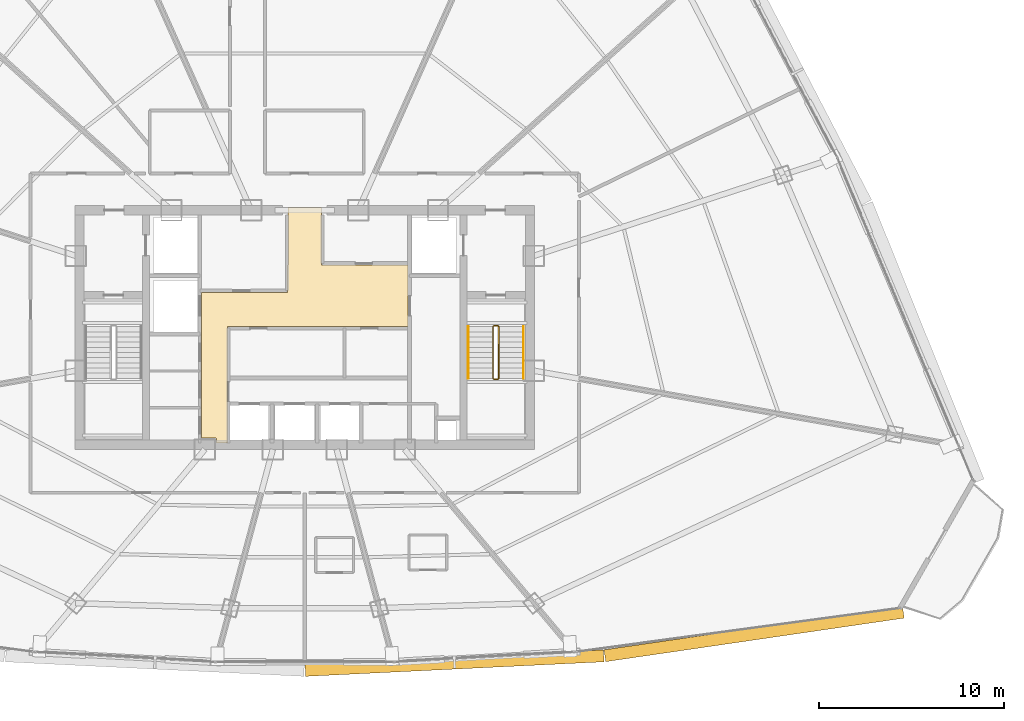
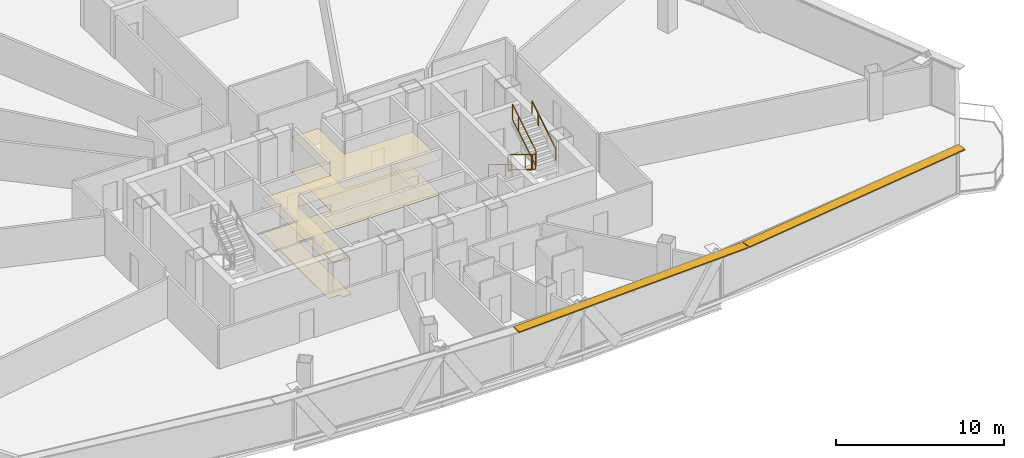
# One storey, part 33 of 35: 6 railings, 2 coverings, 2 shading devices.
"""IFC4 building model written with IfcOpenShell, lengths in metres."""

import ifcopenshell
import ifcopenshell.guid

model = None  # the IFC model being written
_history = None  # IfcOwnerHistory: only IFC2X3 demands one
_inside = {}  # id of a spatial element -> (the spatial element, [elements in it])
_under = {}  # id of a project, library or spatial element -> (it, [spatial elements below it])
_declared = {}  # id of a project -> (the project, [libraries it declares])
_typed = {}  # id of a type object -> (the type object, [elements of that type])
_made_of = {}  # id of a material, layer set ... -> (it, [elements and type objects made of it])


def new_model(schema):
    """Start an empty IFC model of exactly this schema.

    Asked for "IFC4X3", IfcOpenShell would pick the latest addendum, in which some entities
    have other attributes; the version numbers below select the first issue.
    IFC2X3 requires an IfcOwnerHistory on every rooted entity: one is made here for all.
    """
    global model, _history
    if schema == "IFC4X3":
        model = ifcopenshell.file(schema_version=(4, 3, 0, 0))
    else:
        model = ifcopenshell.file(schema=schema)
    _inside.clear()
    _under.clear()
    _declared.clear()
    _typed.clear()
    _made_of.clear()
    _history = None
    if model.schema == "IFC2X3":
        org = make("IfcOrganization", Name="unknown")
        user = make(
            "IfcPersonAndOrganization",
            ThePerson=make("IfcPerson", FamilyName="unknown"),
            TheOrganization=org,
        )
        app = make(
            "IfcApplication",
            ApplicationDeveloper=org,
            Version="unknown",
            ApplicationFullName="unknown",
            ApplicationIdentifier="unknown",
        )
        _history = make(
            "IfcOwnerHistory",
            OwningUser=user,
            OwningApplication=app,
            ChangeAction="ADDED",
            CreationDate=0,
        )
    return model


def make(cls, **values):
    """One entity of the class cls with the attributes given. An attribute that is None is left unset."""
    return model.create_entity(
        cls, **{name: value for name, value in values.items() if value is not None}
    )


def rooted(cls, **values):
    """An entity with a GlobalId (a new one), such as an element, a storey or a relation."""
    return make(cls, GlobalId=ifcopenshell.guid.new(), OwnerHistory=_history, **values)


def si_unit(unit_type, name, prefix=None):
    """IfcSIUnit, for example si_unit("LENGTHUNIT", "METRE", prefix="MILLI")."""
    return make("IfcSIUnit", UnitType=unit_type, Prefix=prefix, Name=name)


def assignment(units):
    """IfcUnitAssignment: the units of a project."""
    return None if units is None else make("IfcUnitAssignment", Units=units)


def point(xyz):
    """IfcCartesianPoint."""
    return None if xyz is None else make("IfcCartesianPoint", Coordinates=xyz)


def direction(xyz):
    """IfcDirection."""
    return None if xyz is None else make("IfcDirection", DirectionRatios=xyz)


def frame(location, z_axis=None, x_axis=None):
    """IfcAxis2Placement3D, a coordinate frame: its origin and axes. An axis left out is left unset."""
    return make(
        "IfcAxis2Placement3D",
        Location=point(location),
        Axis=direction(z_axis),
        RefDirection=direction(x_axis),
    )


def frame_2d(location, x_axis=None):
    """IfcAxis2Placement2D, a coordinate frame in the plane: its origin and x axis."""
    return make(
        "IfcAxis2Placement2D", Location=point(location), RefDirection=direction(x_axis)
    )


def origin():
    """The frame at (0, 0, 0) with its axes left unset."""
    return frame((0.0, 0.0, 0.0))


def origin_2d():
    """The frame at (0, 0) in the plane with its x axis left unset."""
    return frame_2d((0.0, 0.0))


def place(relative_to, where):
    """IfcLocalPlacement: puts the frame where relative to a parent placement (None: the world)."""
    return make(
        "IfcLocalPlacement", PlacementRelTo=relative_to, RelativePlacement=where
    )


def context(
    kind, dimensions, precision=None, world=None, true_north=None, identifier=None
):
    """IfcGeometricRepresentationContext, for example the 3D "Model" context."""
    return make(
        "IfcGeometricRepresentationContext",
        ContextIdentifier=identifier,
        ContextType=kind,
        CoordinateSpaceDimension=dimensions,
        Precision=precision,
        WorldCoordinateSystem=world,
        TrueNorth=true_north,
    )


def subcontext(parent, identifier, kind, view, scale=None):
    """IfcGeometricRepresentationSubContext, for example "Body" below "Model"."""
    return make(
        "IfcGeometricRepresentationSubContext",
        ContextIdentifier=identifier,
        ContextType=kind,
        ParentContext=parent,
        TargetScale=scale,
        TargetView=view,
    )


def project(units=None, contexts=None):
    """IfcProject with its units and contexts."""
    return rooted(
        "IfcProject",
        Name="project",
        RepresentationContexts=contexts,
        UnitsInContext=assignment(units),
    )


def spatial(cls, under=None, at=None, **own):
    """A site, building, storey or space (cls), placed at a placement, below another one or the project."""
    s = rooted(cls, ObjectPlacement=at, **own)
    if under is not None:
        _under.setdefault(under.id(), (under, []))[1].append(s)
    return s


def polyline(points):
    """IfcPolyline through the points."""
    return make("IfcPolyline", Points=[point(p) for p in points])


def profile(cls, at=None, kind="AREA", **sizes):
    """A parametric profile (cls). Its sizes go by their IFC names, for example OverallWidth=200.0."""
    return make(cls, ProfileType=kind, Position=at, **sizes)


def rectangle(**sizes):
    """IfcRectangleProfileDef."""
    return profile("IfcRectangleProfileDef", **sizes)


def outline(outer, holes=None, kind="AREA"):
    """IfcArbitraryClosedProfileDef: a profile drawn as a closed curve; with holes, ...WithVoids."""
    if holes is None:
        return make("IfcArbitraryClosedProfileDef", ProfileType=kind, OuterCurve=outer)
    return make(
        "IfcArbitraryProfileDefWithVoids",
        ProfileType=kind,
        OuterCurve=outer,
        InnerCurves=holes,
    )


def extrude(swept, where, along, depth):
    """IfcExtrudedAreaSolid: the profile swept, set in the frame where, extruded along a direction by depth."""
    return make(
        "IfcExtrudedAreaSolid",
        SweptArea=swept,
        Position=where,
        ExtrudedDirection=direction(along),
        Depth=depth,
    )


def shape(context_of_items, identifier, shape_type, items):
    """IfcShapeRepresentation: the items that make up one representation, for example the "Body"."""
    return make(
        "IfcShapeRepresentation",
        ContextOfItems=context_of_items,
        RepresentationIdentifier=identifier,
        RepresentationType=shape_type,
        Items=items,
    )


def source(mapping_origin, context_of_items, identifier, shape_type, items):
    """IfcRepresentationMap: a shape defined once, which mapped items show again and again."""
    return make(
        "IfcRepresentationMap",
        MappingOrigin=mapping_origin,
        MappedRepresentation=shape(context_of_items, identifier, shape_type, items),
    )


def transform(
    local_origin,
    x_axis=None,
    y_axis=None,
    z_axis=None,
    scale=None,
    scale2=None,
    scale3=None,
    uniform=True,
):
    """IfcCartesianTransformationOperator3D, or its non-uniform kind. x_axis, y_axis, z_axis: its Axis1, 2, 3."""
    if uniform:
        return make(
            "IfcCartesianTransformationOperator3D",
            Axis1=direction(x_axis),
            Axis2=direction(y_axis),
            LocalOrigin=point(local_origin),
            Scale=scale,
            Axis3=direction(z_axis),
        )
    return make(
        "IfcCartesianTransformationOperator3DnonUniform",
        Axis1=direction(x_axis),
        Axis2=direction(y_axis),
        LocalOrigin=point(local_origin),
        Scale=scale,
        Axis3=direction(z_axis),
        Scale2=scale2,
        Scale3=scale3,
    )


def mapped(mapping_source, mapping_target):
    """IfcMappedItem: shows the shape of a source again, moved by a transform."""
    return make(
        "IfcMappedItem", MappingSource=mapping_source, MappingTarget=mapping_target
    )


def material(Name=None, Category=None):
    """IfcMaterial."""
    return make("IfcMaterial", Name=Name, Category=Category)


def layer(
    of_material, thickness, ventilated=None, Name=None, Category=None, Priority=None
):
    """IfcMaterialLayer: one layer of a wall or slab, of a material (None: an air gap)."""
    return make(
        "IfcMaterialLayer",
        Material=of_material,
        LayerThickness=thickness,
        IsVentilated=ventilated,
        Name=Name,
        Category=Category,
        Priority=Priority,
    )


def layer_set(layers, Name=None):
    """IfcMaterialLayerSet."""
    return make("IfcMaterialLayerSet", MaterialLayers=layers, LayerSetName=Name)


def made_of(thing, what):
    """Note that an element or type object is made of a material, layer set ...; save() writes the relation."""
    if what is not None:
        _made_of.setdefault(what.id(), (what, []))[1].append(thing)
    return thing


def type_object(cls, material=None, **own):
    """A type object (cls), such as IfcWallType, which elements share."""
    return made_of(rooted(cls, **own), material)


def element(
    cls,
    number,
    at=None,
    inside=None,
    cuts=None,
    type_object=None,
    material=None,
    context=None,
    identifier="Body",
    shape_type=None,
    held_by="IfcProductDefinitionShape",
    body=None,
    shapes=None,
    **own,
):
    """One element of the class cls, such as IfcWall. Its Tag is "e" and its number.

    at: its placement. inside: the storey or other place that contains it. cuts: it is an
    opening in that element (IfcRelVoidsElement). A single representation is given by context,
    identifier, shape_type and body (its items); several are given by shapes. held_by: the class
    of the entity that holds the representations. save() writes the other relations.
    """
    e = rooted(cls, Tag="e%d" % number, ObjectPlacement=at, **own)
    if body is not None:
        shapes = [shape(context, identifier, shape_type, body)]
    if shapes is not None:
        e.Representation = make(held_by, Representations=shapes)
    if inside is not None:
        _inside.setdefault(inside.id(), (inside, []))[1].append(e)
    if cuts is not None:
        rooted(
            "IfcRelVoidsElement", RelatingBuildingElement=cuts, RelatedOpeningElement=e
        )
    if type_object is not None:
        _typed.setdefault(type_object.id(), (type_object, []))[1].append(e)
    return made_of(e, material)


def aggregate(whole, parts):
    """IfcRelAggregates: a whole, such as a stair, and the parts it consists of."""
    return rooted("IfcRelAggregates", RelatingObject=whole, RelatedObjects=parts)


def save(model, path):
    """Write the relations noted so far, then the file.

    IfcRelAggregates (storeys below a building ...), IfcRelContainedInSpatialStructure (elements
    in a storey), IfcRelDefinesByType, IfcRelAssociatesMaterial and IfcRelDeclares: one each for
    every whole, place, type object, material and project.
    """
    for whole, parts in _under.values():
        aggregate(whole, parts)
    for where, things in _inside.values():
        rooted(
            "IfcRelContainedInSpatialStructure",
            RelatedElements=things,
            RelatingStructure=where,
        )
    for kind, things in _typed.values():
        rooted("IfcRelDefinesByType", RelatedObjects=things, RelatingType=kind)
    for what, things in _made_of.values():
        rooted("IfcRelAssociatesMaterial", RelatedObjects=things, RelatingMaterial=what)
    for by, libraries in _declared.values():
        rooted("IfcRelDeclares", RelatingContext=by, RelatedDefinitions=libraries)
    model.write(path)


model = new_model("IFC4")

# Units and contexts
model_context = context("Model", 3, precision=1e-05, world=origin(), true_north=direction((0.0, 1.0)))
body_context = subcontext(model_context, "Body", "Model", "MODEL_VIEW")
ifc_project = project(units=[si_unit("LENGTHUNIT", "METRE"), si_unit("AREAUNIT", "SQUARE_METRE"), si_unit("VOLUMEUNIT", "CUBIC_METRE"), si_unit("PLANEANGLEUNIT", "RADIAN"), si_unit("MASSUNIT", "GRAM", prefix="KILO"), si_unit("THERMODYNAMICTEMPERATUREUNIT", "KELVIN"), si_unit("POWERUNIT", "WATT")], contexts=[model_context])

# Site, building, storey
site_placement = place(None, origin())
site = spatial("IfcSite", under=ifc_project, at=site_placement, CompositionType="ELEMENT")
building_placement = place(site_placement, origin())
building = spatial("IfcBuilding", under=site, at=building_placement, Name="Yunzhuo Pagoda Commons", CompositionType="ELEMENT")
storey_placement = place(building_placement, frame((0.0, 0.0, 237.070068359375)))
storey = spatial("IfcBuildingStorey", under=building, at=storey_placement, Name="L59", CompositionType="ELEMENT", Elevation=237.070068359375)

# Coverings
ifc_material_1 = material(Name="Perforated gypsum acoustic ceiling tile")
ifc_layer_1 = layer(ifc_material_1, 0.030029296875)
ifc_layer_set_1 = layer_set([ifc_layer_1], Name="Perforated gypsum acoustic ceiling tile")
covering_type_1 = type_object("IfcCoveringType", Name="COV-CL2 Ceiling 30", PredefinedType="CEILING", material=ifc_layer_set_1)
covering_1_placement = place(storey_placement, frame((0.0, 0.0, 2.52001953125)))
element("IfcCovering", 1, at=covering_1_placement, inside=storey, type_object=covering_type_1, Name="L59 lift lobby acoustic ceiling", PredefinedType="CEILING", context=body_context, shape_type="SweptSolid", body=[
    extrude(outline(polyline([(42.39990234375, 35.75), (47.080078125, 35.75), (47.080078125, 37.25), (47.10009765625, 37.25), (47.10009765625, 40.35009765625), (48.89990234375, 40.35009765625), (48.89990234375, 37.25), (53.580078125, 37.25), (53.580078125, 33.89990234375), (43.820068359375, 33.89990234375), (43.820068359375, 27.60009765625), (43.207763671875, 27.60009765625), (43.207763671875, 27.85009765625), (43.201904296875, 27.864013671875), (43.187744140625, 27.8701171875), (42.39990234375, 27.8701171875), (42.39990234375, 33.89990234375), (42.39990234375, 35.75)])), origin(), (0.0, 0.0, 1.0), 0.030029296875),
])
ifc_material_2 = material(Name="Resilient acoustic studio flooring")
ifc_layer_2 = layer(ifc_material_2, 0.01806640625)
ifc_layer_set_2 = layer_set([ifc_layer_2], Name="Resilient acoustic studio flooring")
covering_type_2 = type_object("IfcCoveringType", Name="COV-FL3 Flooring 18", PredefinedType="FLOORING", material=ifc_layer_set_2)
covering_2_placement = place(storey_placement, origin())
element("IfcCovering", 2, at=covering_2_placement, inside=storey, type_object=covering_type_2, Name="L59 lift lobby flooring", PredefinedType="FLOORING", context=body_context, shape_type="SweptSolid", body=[
    extrude(outline(polyline([(42.39990234375, 35.75), (47.080078125, 35.75), (47.080078125, 37.25), (47.10009765625, 37.25), (47.10009765625, 40.35009765625), (48.89990234375, 40.35009765625), (48.89990234375, 37.25), (53.580078125, 37.25), (53.580078125, 33.89990234375), (43.820068359375, 33.89990234375), (43.820068359375, 27.60009765625), (43.207763671875, 27.60009765625), (43.207763671875, 27.85009765625), (43.201904296875, 27.864013671875), (43.187744140625, 27.8701171875), (42.39990234375, 27.8701171875), (42.39990234375, 33.89990234375), (42.39990234375, 35.75)])), origin(), (0.0, 0.0, 1.0), 0.017822265625),
])

# Railings
ifc_material_3 = material(Name="Anodized aluminium 6063-T6", Category="aluminium")
railing_type_1 = type_object("IfcRailingType", Name="GR-ST2 Stair Well Guardrail 1160", PredefinedType="GUARDRAIL", material=ifc_material_3)
railing_1_placement = place(storey_placement, frame((58.199951171875, 33.89990234375, 0.16943359375)))
element("IfcRailing", 3, at=railing_1_placement, inside=storey, type_object=railing_type_1, Name="L59 ST2 stair guard 1", PredefinedType="GUARDRAIL", context=body_context, shape_type="SweptSolid", body=[
    extrude(rectangle(XDim=0.048095703125, YDim=0.048095703125, at=origin_2d()), frame((0.0, 0.0, 1.1259765625), z_axis=(0.0, -0.855373106579, 0.518012401918), x_axis=(1.0, 0.0, 0.0)), (0.0, 0.0, 1.0), 3.273193359375),
    extrude(rectangle(XDim=0.048095703125, YDim=0.048095703125, at=origin_2d()), frame((0.0, 0.0, 0.02392578125), z_axis=(0.0, -0.855373106579, 0.518012401918), x_axis=(1.0, 0.0, 0.0)), (0.0, 0.0, 1.0), 3.273193359375),
    extrude(rectangle(XDim=0.0419921875, YDim=0.0419921875, at=origin_2d()), origin(), (0.0, 0.0, 1.0), 1.101806640625),
    extrude(rectangle(XDim=0.0419921875, YDim=0.0419921875, at=origin_2d()), frame((0.0, -2.052978515625, 1.2431640625)), (0.0, 0.0, 1.0), 1.101806640625),
    extrude(rectangle(XDim=0.0419921875, YDim=0.0419921875, at=origin_2d()), frame((0.0, -2.7998046875, 1.695556640625)), (0.0, 0.0, 1.0), 1.101806640625),
])
railing_2_placement = place(storey_placement, frame((58.25, 31.050048828125, 1.864990234375)))
element("IfcRailing", 4, at=railing_2_placement, inside=storey, type_object=railing_type_1, Name="L59 ST2 stair guard 2", PredefinedType="GUARDRAIL", context=body_context, shape_type="SweptSolid", body=[
    extrude(rectangle(XDim=0.048095703125, YDim=0.048095703125, at=origin_2d()), frame((0.0, 0.0, 1.1259765625), z_axis=(1.0, 0.0, 0.0), x_axis=(0.0, 1.0, 0.0)), (0.0, 0.0, 1.0), 0.199951171875),
    extrude(rectangle(XDim=0.048095703125, YDim=0.048095703125, at=origin_2d()), frame((0.0, 0.0, 0.02392578125), z_axis=(1.0, 0.0, 0.0), x_axis=(0.0, 1.0, 0.0)), (0.0, 0.0, 1.0), 0.199951171875),
    extrude(rectangle(XDim=0.0419921875, YDim=0.0419921875, at=origin_2d()), origin(), (0.0, 0.0, 1.0), 1.101806640625),
    extrude(rectangle(XDim=0.0419921875, YDim=0.0419921875, at=origin_2d()), frame((0.199951171875, 0.0, 0.0)), (0.0, 0.0, 1.0), 1.101806640625),
])
railing_3_placement = place(storey_placement, frame((58.5, 31.10009765625, 2.034423828125)))
element("IfcRailing", 5, at=railing_3_placement, inside=storey, type_object=railing_type_1, Name="L59 ST2 stair guard 3", PredefinedType="GUARDRAIL", context=body_context, shape_type="SweptSolid", body=[
    extrude(rectangle(XDim=0.048095703125, YDim=0.048095703125, at=origin_2d()), frame((0.0, 0.0, 1.1259765625), z_axis=(0.0, 0.855373106579, 0.518012401918), x_axis=(-1.0, 0.0, 0.0)), (0.0, 0.0, 1.0), 3.273193359375),
    extrude(rectangle(XDim=0.048095703125, YDim=0.048095703125, at=origin_2d()), frame((0.0, 0.0, 0.02392578125), z_axis=(0.0, 0.855373106579, 0.518012401918), x_axis=(-1.0, 0.0, 0.0)), (0.0, 0.0, 1.0), 3.273193359375),
    extrude(rectangle(XDim=0.0419921875, YDim=0.0419921875, at=origin_2d()), origin(), (0.0, 0.0, 1.0), 1.101806640625),
    extrude(rectangle(XDim=0.0419921875, YDim=0.0419921875, at=origin_2d()), frame((0.0, 2.052978515625, 1.2431640625)), (0.0, 0.0, 1.0), 1.101806640625),
    extrude(rectangle(XDim=0.0419921875, YDim=0.0419921875, at=origin_2d()), frame((0.0, 2.7998046875, 1.695556640625)), (0.0, 0.0, 1.0), 1.101806640625),
])
railing_4_placement = place(storey_placement, frame((58.25, 33.949951171875, 0.0)))
element("IfcRailing", 6, at=railing_4_placement, inside=storey, type_object=railing_type_1, Name="L59 ST2 stair guard 4", PredefinedType="GUARDRAIL", context=body_context, shape_type="SweptSolid", body=[
    extrude(rectangle(XDim=0.048095703125, YDim=0.048095703125, at=origin_2d()), frame((0.0, 0.0, 1.1259765625), z_axis=(1.0, 0.0, 0.0), x_axis=(0.0, 1.0, 0.0)), (0.0, 0.0, 1.0), 0.199951171875),
    extrude(rectangle(XDim=0.048095703125, YDim=0.048095703125, at=origin_2d()), frame((0.0, 0.0, 0.02392578125), z_axis=(1.0, 0.0, 0.0), x_axis=(0.0, 1.0, 0.0)), (0.0, 0.0, 1.0), 0.199951171875),
    extrude(rectangle(XDim=0.0419921875, YDim=0.0419921875, at=origin_2d()), origin(), (0.0, 0.0, 1.0), 1.101806640625),
    extrude(rectangle(XDim=0.0419921875, YDim=0.0419921875, at=origin_2d()), frame((0.199951171875, 0.0, 0.0)), (0.0, 0.0, 1.0), 1.101806640625),
])
railing_type_2 = type_object("IfcRailingType", Name="HR-ST2 Stair Handrail 900", PredefinedType="HANDRAIL", material=ifc_material_3)
railing_5_placement = place(storey_placement, frame((56.85009765625, 33.89990234375, 0.16943359375)))
element("IfcRailing", 7, at=railing_5_placement, inside=storey, type_object=railing_type_2, Name="L59 ST2 stair handrail 1", PredefinedType="HANDRAIL", context=body_context, shape_type="SweptSolid", body=[
    extrude(rectangle(XDim=0.048095703125, YDim=0.048095703125, at=origin_2d()), frame((0.0, 0.0, 0.8759765625), z_axis=(0.0, -0.855373106579, 0.518012401918), x_axis=(1.0, 0.0, 0.0)), (0.0, 0.0, 1.0), 3.273193359375),
    extrude(rectangle(XDim=0.0419921875, YDim=0.0419921875, at=origin_2d()), origin(), (0.0, 0.0, 1.0), 0.851806640625),
    extrude(rectangle(XDim=0.0419921875, YDim=0.0419921875, at=origin_2d()), frame((0.0, -2.052978515625, 1.2431640625)), (0.0, 0.0, 1.0), 0.851806640625),
    extrude(rectangle(XDim=0.0419921875, YDim=0.0419921875, at=origin_2d()), frame((0.0, -2.7998046875, 1.695556640625)), (0.0, 0.0, 1.0), 0.851806640625),
])
railing_6_placement = place(storey_placement, frame((59.85009765625, 31.10009765625, 2.034423828125)))
element("IfcRailing", 8, at=railing_6_placement, inside=storey, type_object=railing_type_2, Name="L59 ST2 stair handrail 2", PredefinedType="HANDRAIL", context=body_context, shape_type="SweptSolid", body=[
    extrude(rectangle(XDim=0.048095703125, YDim=0.048095703125, at=origin_2d()), frame((0.0, 0.0, 0.8759765625), z_axis=(0.0, 0.855373106579, 0.518012401918), x_axis=(-1.0, 0.0, 0.0)), (0.0, 0.0, 1.0), 3.273193359375),
    extrude(rectangle(XDim=0.0419921875, YDim=0.0419921875, at=origin_2d()), origin(), (0.0, 0.0, 1.0), 0.851806640625),
    extrude(rectangle(XDim=0.0419921875, YDim=0.0419921875, at=origin_2d()), frame((0.0, 2.052978515625, 1.2431640625)), (0.0, 0.0, 1.0), 0.851806640625),
    extrude(rectangle(XDim=0.0419921875, YDim=0.0419921875, at=origin_2d()), frame((0.0, 2.7998046875, 1.695556640625)), (0.0, 0.0, 1.0), 0.851806640625),
])

# Shading devices
ifc_layer_3 = layer(ifc_material_3, 0.080078125)
ifc_layer_set_3 = layer_set([ifc_layer_3], Name="Anodized aluminium 6063-T6")
shading_device_type = type_object("IfcShadingDeviceType", Name="SH-SUN1 Pagoda Horizontal Sunshade Eave 650", PredefinedType="USERDEFINED", material=ifc_layer_set_3)
shared_shape_1 = source(origin(), body_context, "Body", "SweptSolid", [
    extrude(rectangle(XDim=16.335693359375, YDim=0.64990234375, at=origin_2d()), origin(), (0.0, 0.0, 1.0), 0.080078125),
])
shading_device_1_placement = place(storey_placement, frame((72.34033203125, 17.252685546875, 3.389892578125), z_axis=(0.0, 0.0, 1.0), x_axis=(0.989510666697, 0.144459823108, 0.0)))
element("IfcShadingDevice", 9, at=shading_device_1_placement, inside=storey, type_object=shading_device_type, Name="L59 horizontal pagoda sunshade eave F1.4", ObjectType="SUNSHADE", PredefinedType="USERDEFINED", context=body_context, shape_type="MappedRepresentation", body=[
    mapped(shared_shape_1, transform((0.0, 0.0, 0.0), scale=1.0)),
])
shared_shape_2 = source(origin(), body_context, "Body", "SweptSolid", [
    extrude(rectangle(XDim=16.182861328125, YDim=0.64990234375, at=origin_2d()), origin(), (0.0, 0.0, 1.0), 0.080078125),
])
shading_device_2_placement = place(storey_placement, frame((56.113525390625, 15.673583984375, 3.389892578125), z_axis=(0.0, 0.0, 1.0), x_axis=(0.998818043775, 0.04860571396, 0.0)))
element("IfcShadingDevice", 10, at=shading_device_2_placement, inside=storey, type_object=shading_device_type, Name="L59 horizontal pagoda sunshade eave F1.3", ObjectType="SUNSHADE", PredefinedType="USERDEFINED", context=body_context, shape_type="MappedRepresentation", body=[
    mapped(shared_shape_2, transform((0.0, 0.0, 0.0), scale=1.0)),
])

save(model, "model.ifc")
